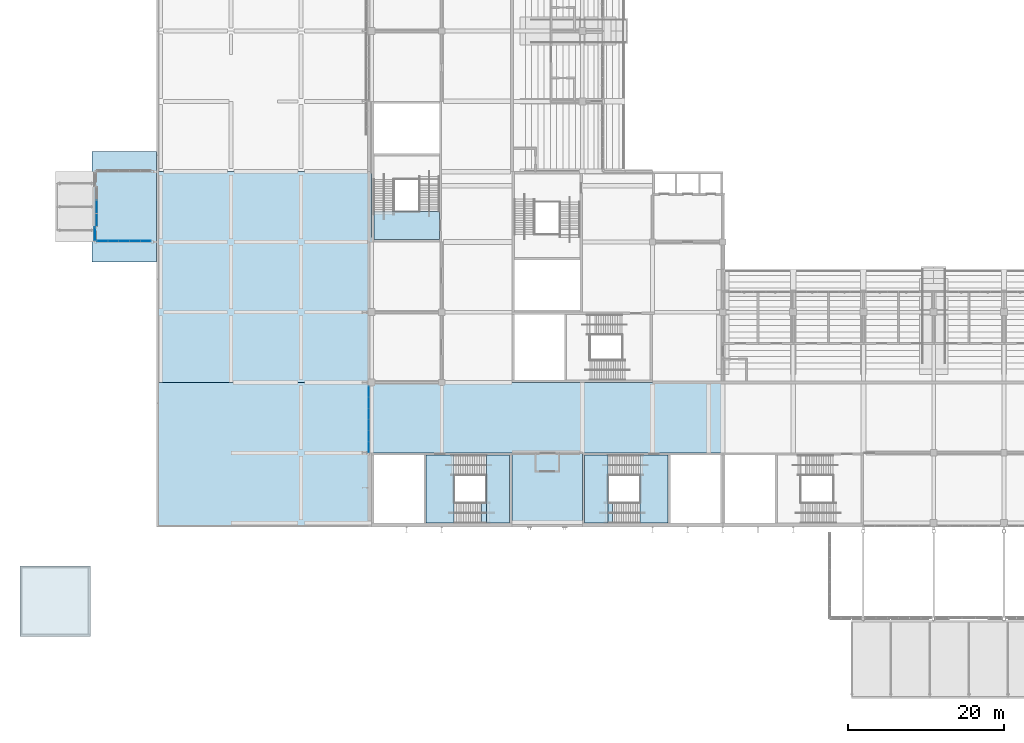
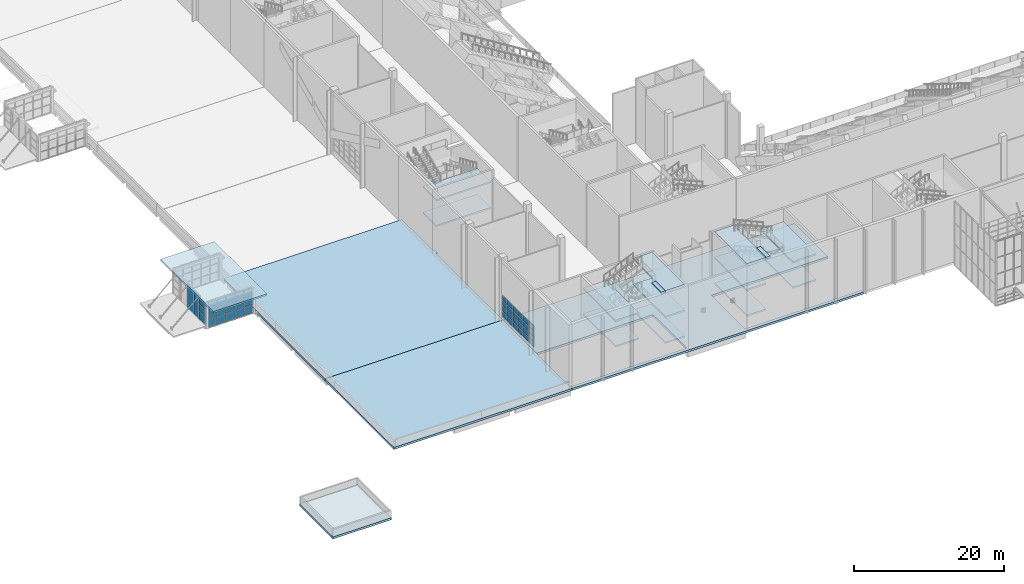
# One storey, part 64 of 182: 44 plates, 19 slabs, 7 elements without a shape of their own.
"""IFC4 building model written with IfcOpenShell, lengths in metres."""

from ifc_helpers import new_model, si_unit, direction, frame, origin, origin_2d, place, context, subcontext, project, spatial, polyline, rectangle, outline, extrude, material, layer, layer_set, type_object, element, aggregate, save


model = new_model("IFC4")

# Units and contexts
model_context = context("Model", 3, precision=1e-05, world=origin(), true_north=direction((0.0, 1.0)))
body_context = subcontext(model_context, "Body", "Model", "MODEL_VIEW")
ifc_project = project(units=[si_unit("LENGTHUNIT", "METRE"), si_unit("AREAUNIT", "SQUARE_METRE"), si_unit("VOLUMEUNIT", "CUBIC_METRE"), si_unit("PLANEANGLEUNIT", "RADIAN"), si_unit("MASSUNIT", "GRAM", prefix="KILO")], contexts=[model_context])

# Site, building, storey
site_placement = place(None, origin())
site = spatial("IfcSite", under=ifc_project, at=site_placement, CompositionType="ELEMENT")
building_placement = place(site_placement, origin())
building = spatial("IfcBuilding", under=site, at=building_placement, Name="Silverbay Arena", CompositionType="ELEMENT")
storey_placement = place(building_placement, frame((0.0, 0.0, 11.5)))
storey = spatial("IfcBuildingStorey", under=building, at=storey_placement, Name="L02", CompositionType="ELEMENT", Elevation=11.5)

# Curtain wall, plates
ifc_material_1 = material(Name="Aluminium framed curtain wall", Category="aluminium")
curtain_wall_type_1 = type_object("IfcCurtainWallType", Name="Curtain wall 1800 x 3700", PredefinedType="NOTDEFINED", material=ifc_material_1)
curtain_wall_1_placement = place(storey_placement, origin())
curtain_wall_1 = element("IfcCurtainWall", 1, at=curtain_wall_1_placement, inside=storey, type_object=curtain_wall_type_1, Name="West entrance hall W0 glazing F0a", PredefinedType="NOTDEFINED")
ifc_material_2 = material(Name="Laminated glass", Category="glass")
ifc_layer_1 = layer(ifc_material_2, 0.028076171875)
ifc_layer_set_1 = layer_set([ifc_layer_1], Name="Laminated glass")
plate_type_1 = type_object("IfcPlateType", Name="Glass panel 28", PredefinedType="CURTAIN_PANEL", material=ifc_layer_set_1)
plate_1_placement = place(storey_placement, frame((18.590087890625, 55.050048828125, 0.5498046875), z_axis=(0.0, 0.0, 1.0), x_axis=(0.0, 1.0, 0.0)))
plate_1 = element("IfcPlate", 2, at=plate_1_placement, type_object=plate_type_1, Name="CW50 panel 1.1", PredefinedType="CURTAIN_PANEL", context=body_context, shape_type="SweptSolid", body=[
    extrude(rectangle(XDim=1.679931640625, YDim=0.028076171875, at=origin_2d()), origin(), (0.0, 0.0, 1.0), 1.158447265625),
])
plate_2_placement = place(storey_placement, frame((18.590087890625, 55.050048828125, 1.75830078125), z_axis=(0.0, 0.0, 1.0), x_axis=(0.0, 1.0, 0.0)))
plate_2 = element("IfcPlate", 3, at=plate_2_placement, type_object=plate_type_1, Name="CW50 panel 1.2", PredefinedType="CURTAIN_PANEL", context=body_context, shape_type="SweptSolid", body=[
    extrude(rectangle(XDim=1.679931640625, YDim=0.028076171875, at=origin_2d()), origin(), (0.0, 0.0, 1.0), 1.183349609375),
])
plate_3_placement = place(storey_placement, frame((18.590087890625, 55.050048828125, 2.99169921875), z_axis=(0.0, 0.0, 1.0), x_axis=(0.0, 1.0, 0.0)))
plate_3 = element("IfcPlate", 4, at=plate_3_placement, type_object=plate_type_1, Name="CW50 panel 1.3", PredefinedType="CURTAIN_PANEL", context=body_context, shape_type="SweptSolid", body=[
    extrude(rectangle(XDim=1.679931640625, YDim=0.028076171875, at=origin_2d()), origin(), (0.0, 0.0, 1.0), 1.158447265625),
])
aggregate(curtain_wall_1, [plate_1, plate_2, plate_3])

ifc_material_3 = material(Name="Aluminium framed curtain wall", Category="aluminium")
curtain_wall_type_2 = type_object("IfcCurtainWallType", Name="Curtain wall 6950 x 4200", PredefinedType="NOTDEFINED", material=ifc_material_3)
curtain_wall_2_placement = place(storey_placement, origin())
curtain_wall_2 = element("IfcCurtainWall", 5, at=curtain_wall_2_placement, inside=storey, type_object=curtain_wall_type_2, Name="West entrance hall W0 glazing SA", PredefinedType="NOTDEFINED")
plate_4_placement = place(storey_placement, frame((19.56005859375, 54.110107421875, 0.0498046875), z_axis=(0.0, 0.0, 1.0), x_axis=(1.0, 0.0, 0.0)))
plate_4 = element("IfcPlate", 6, at=plate_4_placement, type_object=plate_type_1, Name="CW52 panel 1.1", PredefinedType="CURTAIN_PANEL", context=body_context, shape_type="SweptSolid", body=[
    extrude(rectangle(XDim=1.300048828125, YDim=0.028076171875, at=origin_2d()), origin(), (0.0, 0.0, 1.0), 1.324951171875),
])
plate_5_placement = place(storey_placement, frame((19.56005859375, 54.110107421875, 1.425048828125), z_axis=(0.0, 0.0, 1.0), x_axis=(1.0, 0.0, 0.0)))
plate_5 = element("IfcPlate", 7, at=plate_5_placement, type_object=plate_type_1, Name="CW52 panel 1.2", PredefinedType="CURTAIN_PANEL", context=body_context, shape_type="SweptSolid", body=[
    extrude(rectangle(XDim=1.300048828125, YDim=0.028076171875, at=origin_2d()), origin(), (0.0, 0.0, 1.0), 1.35009765625),
])
plate_6_placement = place(storey_placement, frame((19.56005859375, 54.110107421875, 2.8251953125), z_axis=(0.0, 0.0, 1.0), x_axis=(1.0, 0.0, 0.0)))
plate_6 = element("IfcPlate", 8, at=plate_6_placement, type_object=plate_type_1, Name="CW52 panel 1.3", PredefinedType="CURTAIN_PANEL", context=body_context, shape_type="SweptSolid", body=[
    extrude(rectangle(XDim=1.300048828125, YDim=0.028076171875, at=origin_2d()), origin(), (0.0, 0.0, 1.0), 1.324951171875),
])
plate_7_placement = place(storey_placement, frame((20.93505859375, 54.110107421875, 0.0498046875), z_axis=(0.0, 0.0, 1.0), x_axis=(1.0, 0.0, 0.0)))
plate_7 = element("IfcPlate", 9, at=plate_7_placement, type_object=plate_type_1, Name="CW52 panel 2.1", PredefinedType="CURTAIN_PANEL", context=body_context, shape_type="SweptSolid", body=[
    extrude(rectangle(XDim=1.330078125, YDim=0.028076171875, at=origin_2d()), origin(), (0.0, 0.0, 1.0), 1.324951171875),
])
plate_8_placement = place(storey_placement, frame((20.93505859375, 54.110107421875, 1.425048828125), z_axis=(0.0, 0.0, 1.0), x_axis=(1.0, 0.0, 0.0)))
plate_8 = element("IfcPlate", 10, at=plate_8_placement, type_object=plate_type_1, Name="CW52 panel 2.2", PredefinedType="CURTAIN_PANEL", context=body_context, shape_type="SweptSolid", body=[
    extrude(rectangle(XDim=1.330078125, YDim=0.028076171875, at=origin_2d()), origin(), (0.0, 0.0, 1.0), 1.35009765625),
])
plate_9_placement = place(storey_placement, frame((20.93505859375, 54.110107421875, 2.8251953125), z_axis=(0.0, 0.0, 1.0), x_axis=(1.0, 0.0, 0.0)))
plate_9 = element("IfcPlate", 11, at=plate_9_placement, type_object=plate_type_1, Name="CW52 panel 2.3", PredefinedType="CURTAIN_PANEL", context=body_context, shape_type="SweptSolid", body=[
    extrude(rectangle(XDim=1.330078125, YDim=0.028076171875, at=origin_2d()), origin(), (0.0, 0.0, 1.0), 1.324951171875),
])
plate_10_placement = place(storey_placement, frame((22.324951171875, 54.110107421875, 0.0498046875), z_axis=(0.0, 0.0, 1.0), x_axis=(1.0, 0.0, 0.0)))
plate_10 = element("IfcPlate", 12, at=plate_10_placement, type_object=plate_type_1, Name="CW52 panel 3.1", PredefinedType="CURTAIN_PANEL", context=body_context, shape_type="SweptSolid", body=[
    extrude(rectangle(XDim=1.330078125, YDim=0.028076171875, at=origin_2d()), origin(), (0.0, 0.0, 1.0), 1.324951171875),
])
plate_11_placement = place(storey_placement, frame((22.324951171875, 54.110107421875, 1.425048828125), z_axis=(0.0, 0.0, 1.0), x_axis=(1.0, 0.0, 0.0)))
plate_11 = element("IfcPlate", 13, at=plate_11_placement, type_object=plate_type_1, Name="CW52 panel 3.2", PredefinedType="CURTAIN_PANEL", context=body_context, shape_type="SweptSolid", body=[
    extrude(rectangle(XDim=1.330078125, YDim=0.028076171875, at=origin_2d()), origin(), (0.0, 0.0, 1.0), 1.35009765625),
])
plate_12_placement = place(storey_placement, frame((22.324951171875, 54.110107421875, 2.8251953125), z_axis=(0.0, 0.0, 1.0), x_axis=(1.0, 0.0, 0.0)))
plate_12 = element("IfcPlate", 14, at=plate_12_placement, type_object=plate_type_1, Name="CW52 panel 3.3", PredefinedType="CURTAIN_PANEL", context=body_context, shape_type="SweptSolid", body=[
    extrude(rectangle(XDim=1.330078125, YDim=0.028076171875, at=origin_2d()), origin(), (0.0, 0.0, 1.0), 1.324951171875),
])
plate_13_placement = place(storey_placement, frame((23.715087890625, 54.110107421875, 0.0498046875), z_axis=(0.0, 0.0, 1.0), x_axis=(1.0, 0.0, 0.0)))
plate_13 = element("IfcPlate", 15, at=plate_13_placement, type_object=plate_type_1, Name="CW52 panel 4.1", PredefinedType="CURTAIN_PANEL", context=body_context, shape_type="SweptSolid", body=[
    extrude(rectangle(XDim=1.330078125, YDim=0.028076171875, at=origin_2d()), origin(), (0.0, 0.0, 1.0), 1.324951171875),
])
plate_14_placement = place(storey_placement, frame((23.715087890625, 54.110107421875, 1.425048828125), z_axis=(0.0, 0.0, 1.0), x_axis=(1.0, 0.0, 0.0)))
plate_14 = element("IfcPlate", 16, at=plate_14_placement, type_object=plate_type_1, Name="CW52 panel 4.2", PredefinedType="CURTAIN_PANEL", context=body_context, shape_type="SweptSolid", body=[
    extrude(rectangle(XDim=1.330078125, YDim=0.028076171875, at=origin_2d()), origin(), (0.0, 0.0, 1.0), 1.35009765625),
])
plate_15_placement = place(storey_placement, frame((23.715087890625, 54.110107421875, 2.8251953125), z_axis=(0.0, 0.0, 1.0), x_axis=(1.0, 0.0, 0.0)))
plate_15 = element("IfcPlate", 17, at=plate_15_placement, type_object=plate_type_1, Name="CW52 panel 4.3", PredefinedType="CURTAIN_PANEL", context=body_context, shape_type="SweptSolid", body=[
    extrude(rectangle(XDim=1.330078125, YDim=0.028076171875, at=origin_2d()), origin(), (0.0, 0.0, 1.0), 1.324951171875),
])
plate_16_placement = place(storey_placement, frame((25.090087890625, 54.110107421875, 0.0498046875), z_axis=(0.0, 0.0, 1.0), x_axis=(1.0, 0.0, 0.0)))
plate_16 = element("IfcPlate", 18, at=plate_16_placement, type_object=plate_type_1, Name="CW52 panel 5.1", PredefinedType="CURTAIN_PANEL", context=body_context, shape_type="SweptSolid", body=[
    extrude(rectangle(XDim=1.300048828125, YDim=0.028076171875, at=origin_2d()), origin(), (0.0, 0.0, 1.0), 1.324951171875),
])
plate_17_placement = place(storey_placement, frame((25.090087890625, 54.110107421875, 1.425048828125), z_axis=(0.0, 0.0, 1.0), x_axis=(1.0, 0.0, 0.0)))
plate_17 = element("IfcPlate", 19, at=plate_17_placement, type_object=plate_type_1, Name="CW52 panel 5.2", PredefinedType="CURTAIN_PANEL", context=body_context, shape_type="SweptSolid", body=[
    extrude(rectangle(XDim=1.300048828125, YDim=0.028076171875, at=origin_2d()), origin(), (0.0, 0.0, 1.0), 1.35009765625),
])
plate_18_placement = place(storey_placement, frame((25.090087890625, 54.110107421875, 2.8251953125), z_axis=(0.0, 0.0, 1.0), x_axis=(1.0, 0.0, 0.0)))
plate_18 = element("IfcPlate", 20, at=plate_18_placement, type_object=plate_type_1, Name="CW52 panel 5.3", PredefinedType="CURTAIN_PANEL", context=body_context, shape_type="SweptSolid", body=[
    extrude(rectangle(XDim=1.300048828125, YDim=0.028076171875, at=origin_2d()), origin(), (0.0, 0.0, 1.0), 1.324951171875),
])
aggregate(curtain_wall_2, [plate_4, plate_5, plate_6, plate_7, plate_8, plate_9, plate_10, plate_11, plate_12, plate_13, plate_14, plate_15, plate_16, plate_17, plate_18])

ifc_material_4 = material(Name="Aluminium framed curtain wall", Category="aluminium")
curtain_wall_type_3 = type_object("IfcCurtainWallType", Name="Curtain wall 5100 x 4200", PredefinedType="NOTDEFINED", material=ifc_material_4)
curtain_wall_3_placement = place(storey_placement, origin())
curtain_wall_3 = element("IfcCurtainWall", 21, at=curtain_wall_3_placement, inside=storey, type_object=curtain_wall_type_3, Name="West entrance hall W0 glazing over the door", PredefinedType="NOTDEFINED")
plate_19_placement = place(storey_placement, frame((18.81005859375, 58.5, 0.050048828125), z_axis=(0.0, 0.0, 1.0), x_axis=(0.0, -1.0, 0.0)))
plate_19 = element("IfcPlate", 22, at=plate_19_placement, type_object=plate_type_1, Name="CW53 panel 2.1", PredefinedType="CURTAIN_PANEL", context=body_context, shape_type="SweptSolid", body=[
    extrude(rectangle(XDim=1.639892578125, YDim=0.028076171875, at=origin_2d()), origin(), (0.0, 0.0, 1.0), 4.10009765625),
])
plate_20_placement = place(storey_placement, frame((18.81005859375, 56.81494140625, 0.050048828125), z_axis=(0.0, 0.0, 1.0), x_axis=(0.0, -1.0, 0.0)))
plate_20 = element("IfcPlate", 23, at=plate_20_placement, type_object=plate_type_1, Name="CW53 panel 3.1", PredefinedType="CURTAIN_PANEL", context=body_context, shape_type="SweptSolid", body=[
    extrude(rectangle(XDim=1.610107421875, YDim=0.028076171875, at=origin_2d()), origin(), (0.0, 0.0, 1.0), 4.10009765625),
])
aggregate(curtain_wall_3, [plate_19, plate_20])

ifc_material_5 = material(Name="Aluminium framed curtain wall", Category="aluminium")
curtain_wall_type_4 = type_object("IfcCurtainWallType", Name="Curtain wall 8550 x 3600", PredefinedType="NOTDEFINED", material=ifc_material_5)
curtain_wall_4_placement = place(storey_placement, origin())
curtain_wall_4 = element("IfcCurtainWall", 24, at=curtain_wall_4_placement, inside=storey, type_object=curtain_wall_type_4, Name="West curtain wall L02 bay 2", PredefinedType="NOTDEFINED")
ifc_material_6 = material(Name="Laminated glass", Category="glass")
ifc_layer_2 = layer(ifc_material_6, 0.035888671875)
ifc_layer_set_2 = layer_set([ifc_layer_2], Name="Laminated glass")
plate_type_2 = type_object("IfcPlateType", Name="Glass panel 36", PredefinedType="CURTAIN_PANEL", material=ifc_layer_set_2)
plate_21_placement = place(storey_placement, frame((53.64990234375, 34.822509765625, 1.0498046875), z_axis=(0.0, 0.0, 1.0), x_axis=(0.0, -1.0, 0.0)))
plate_21 = element("IfcPlate", 25, at=plate_21_placement, type_object=plate_type_2, Name="CW10 panel 1.1", PredefinedType="CURTAIN_PANEL", context=body_context, shape_type="SweptSolid", body=[
    extrude(rectangle(XDim=1.3349609375, YDim=0.035888671875, at=origin_2d()), origin(), (0.0, 0.0, 1.0), 0.824951171875),
])
plate_22_placement = place(storey_placement, frame((53.64990234375, 34.822509765625, 1.925048828125), z_axis=(0.0, 0.0, 1.0), x_axis=(0.0, -1.0, 0.0)))
plate_22 = element("IfcPlate", 26, at=plate_22_placement, type_object=plate_type_2, Name="CW10 panel 1.2", PredefinedType="CURTAIN_PANEL", context=body_context, shape_type="SweptSolid", body=[
    extrude(rectangle(XDim=1.3349609375, YDim=0.035888671875, at=origin_2d()), origin(), (0.0, 0.0, 1.0), 0.85009765625),
])
plate_23_placement = place(storey_placement, frame((53.64990234375, 34.822509765625, 2.824951171875), z_axis=(0.0, 0.0, 1.0), x_axis=(0.0, -1.0, 0.0)))
plate_23 = element("IfcPlate", 27, at=plate_23_placement, type_object=plate_type_2, Name="CW10 panel 1.3", PredefinedType="CURTAIN_PANEL", context=body_context, shape_type="SweptSolid", body=[
    extrude(rectangle(XDim=1.3349609375, YDim=0.035888671875, at=origin_2d()), origin(), (0.0, 0.0, 1.0), 0.85009765625),
])
plate_24_placement = place(storey_placement, frame((53.64990234375, 34.822509765625, 3.72509765625), z_axis=(0.0, 0.0, 1.0), x_axis=(0.0, -1.0, 0.0)))
plate_24 = element("IfcPlate", 28, at=plate_24_placement, type_object=plate_type_2, Name="CW10 panel 1.4", PredefinedType="CURTAIN_PANEL", context=body_context, shape_type="SweptSolid", body=[
    extrude(rectangle(XDim=1.3349609375, YDim=0.035888671875, at=origin_2d()), origin(), (0.0, 0.0, 1.0), 0.824951171875),
])
plate_25_placement = place(storey_placement, frame((53.64990234375, 33.41259765625, 1.0498046875), z_axis=(0.0, 0.0, 1.0), x_axis=(0.0, -1.0, 0.0)))
plate_25 = element("IfcPlate", 29, at=plate_25_placement, type_object=plate_type_2, Name="CW10 panel 2.1", PredefinedType="CURTAIN_PANEL", context=body_context, shape_type="SweptSolid", body=[
    extrude(rectangle(XDim=1.364990234375, YDim=0.035888671875, at=origin_2d()), origin(), (0.0, 0.0, 1.0), 0.824951171875),
])
plate_26_placement = place(storey_placement, frame((53.64990234375, 33.41259765625, 1.925048828125), z_axis=(0.0, 0.0, 1.0), x_axis=(0.0, -1.0, 0.0)))
plate_26 = element("IfcPlate", 30, at=plate_26_placement, type_object=plate_type_2, Name="CW10 panel 2.2", PredefinedType="CURTAIN_PANEL", context=body_context, shape_type="SweptSolid", body=[
    extrude(rectangle(XDim=1.364990234375, YDim=0.035888671875, at=origin_2d()), origin(), (0.0, 0.0, 1.0), 0.85009765625),
])
plate_27_placement = place(storey_placement, frame((53.64990234375, 33.41259765625, 2.824951171875), z_axis=(0.0, 0.0, 1.0), x_axis=(0.0, -1.0, 0.0)))
plate_27 = element("IfcPlate", 31, at=plate_27_placement, type_object=plate_type_2, Name="CW10 panel 2.3", PredefinedType="CURTAIN_PANEL", context=body_context, shape_type="SweptSolid", body=[
    extrude(rectangle(XDim=1.364990234375, YDim=0.035888671875, at=origin_2d()), origin(), (0.0, 0.0, 1.0), 0.85009765625),
])
plate_28_placement = place(storey_placement, frame((53.64990234375, 33.41259765625, 3.72509765625), z_axis=(0.0, 0.0, 1.0), x_axis=(0.0, -1.0, 0.0)))
plate_28 = element("IfcPlate", 32, at=plate_28_placement, type_object=plate_type_2, Name="CW10 panel 2.4", PredefinedType="CURTAIN_PANEL", context=body_context, shape_type="SweptSolid", body=[
    extrude(rectangle(XDim=1.364990234375, YDim=0.035888671875, at=origin_2d()), origin(), (0.0, 0.0, 1.0), 0.824951171875),
])
plate_29_placement = place(storey_placement, frame((53.64990234375, 31.987548828125, 1.0498046875), z_axis=(0.0, 0.0, 1.0), x_axis=(0.0, -1.0, 0.0)))
plate_29 = element("IfcPlate", 33, at=plate_29_placement, type_object=plate_type_2, Name="CW10 panel 3.1", PredefinedType="CURTAIN_PANEL", context=body_context, shape_type="SweptSolid", body=[
    extrude(rectangle(XDim=1.364990234375, YDim=0.035888671875, at=origin_2d()), origin(), (0.0, 0.0, 1.0), 0.824951171875),
])
plate_30_placement = place(storey_placement, frame((53.64990234375, 31.987548828125, 1.925048828125), z_axis=(0.0, 0.0, 1.0), x_axis=(0.0, -1.0, 0.0)))
plate_30 = element("IfcPlate", 34, at=plate_30_placement, type_object=plate_type_2, Name="CW10 panel 3.2", PredefinedType="CURTAIN_PANEL", context=body_context, shape_type="SweptSolid", body=[
    extrude(rectangle(XDim=1.364990234375, YDim=0.035888671875, at=origin_2d()), origin(), (0.0, 0.0, 1.0), 0.85009765625),
])
plate_31_placement = place(storey_placement, frame((53.64990234375, 31.987548828125, 2.824951171875), z_axis=(0.0, 0.0, 1.0), x_axis=(0.0, -1.0, 0.0)))
plate_31 = element("IfcPlate", 35, at=plate_31_placement, type_object=plate_type_2, Name="CW10 panel 3.3", PredefinedType="CURTAIN_PANEL", context=body_context, shape_type="SweptSolid", body=[
    extrude(rectangle(XDim=1.364990234375, YDim=0.035888671875, at=origin_2d()), origin(), (0.0, 0.0, 1.0), 0.85009765625),
])
plate_32_placement = place(storey_placement, frame((53.64990234375, 31.987548828125, 3.72509765625), z_axis=(0.0, 0.0, 1.0), x_axis=(0.0, -1.0, 0.0)))
plate_32 = element("IfcPlate", 36, at=plate_32_placement, type_object=plate_type_2, Name="CW10 panel 3.4", PredefinedType="CURTAIN_PANEL", context=body_context, shape_type="SweptSolid", body=[
    extrude(rectangle(XDim=1.364990234375, YDim=0.035888671875, at=origin_2d()), origin(), (0.0, 0.0, 1.0), 0.824951171875),
])
plate_33_placement = place(storey_placement, frame((53.64990234375, 30.5625, 1.0498046875), z_axis=(0.0, 0.0, 1.0), x_axis=(0.0, -1.0, 0.0)))
plate_33 = element("IfcPlate", 37, at=plate_33_placement, type_object=plate_type_2, Name="CW10 panel 4.1", PredefinedType="CURTAIN_PANEL", context=body_context, shape_type="SweptSolid", body=[
    extrude(rectangle(XDim=1.364990234375, YDim=0.035888671875, at=origin_2d()), origin(), (0.0, 0.0, 1.0), 0.824951171875),
])
plate_34_placement = place(storey_placement, frame((53.64990234375, 30.5625, 1.925048828125), z_axis=(0.0, 0.0, 1.0), x_axis=(0.0, -1.0, 0.0)))
plate_34 = element("IfcPlate", 38, at=plate_34_placement, type_object=plate_type_2, Name="CW10 panel 4.2", PredefinedType="CURTAIN_PANEL", context=body_context, shape_type="SweptSolid", body=[
    extrude(rectangle(XDim=1.364990234375, YDim=0.035888671875, at=origin_2d()), origin(), (0.0, 0.0, 1.0), 0.85009765625),
])
plate_35_placement = place(storey_placement, frame((53.64990234375, 30.5625, 2.824951171875), z_axis=(0.0, 0.0, 1.0), x_axis=(0.0, -1.0, 0.0)))
plate_35 = element("IfcPlate", 39, at=plate_35_placement, type_object=plate_type_2, Name="CW10 panel 4.3", PredefinedType="CURTAIN_PANEL", context=body_context, shape_type="SweptSolid", body=[
    extrude(rectangle(XDim=1.364990234375, YDim=0.035888671875, at=origin_2d()), origin(), (0.0, 0.0, 1.0), 0.85009765625),
])
plate_36_placement = place(storey_placement, frame((53.64990234375, 30.5625, 3.72509765625), z_axis=(0.0, 0.0, 1.0), x_axis=(0.0, -1.0, 0.0)))
plate_36 = element("IfcPlate", 40, at=plate_36_placement, type_object=plate_type_2, Name="CW10 panel 4.4", PredefinedType="CURTAIN_PANEL", context=body_context, shape_type="SweptSolid", body=[
    extrude(rectangle(XDim=1.364990234375, YDim=0.035888671875, at=origin_2d()), origin(), (0.0, 0.0, 1.0), 0.824951171875),
])
plate_37_placement = place(storey_placement, frame((53.64990234375, 29.137451171875, 1.0498046875), z_axis=(0.0, 0.0, 1.0), x_axis=(0.0, -1.0, 0.0)))
plate_37 = element("IfcPlate", 41, at=plate_37_placement, type_object=plate_type_2, Name="CW10 panel 5.1", PredefinedType="CURTAIN_PANEL", context=body_context, shape_type="SweptSolid", body=[
    extrude(rectangle(XDim=1.364990234375, YDim=0.035888671875, at=origin_2d()), origin(), (0.0, 0.0, 1.0), 0.824951171875),
])
plate_38_placement = place(storey_placement, frame((53.64990234375, 29.137451171875, 1.925048828125), z_axis=(0.0, 0.0, 1.0), x_axis=(0.0, -1.0, 0.0)))
plate_38 = element("IfcPlate", 42, at=plate_38_placement, type_object=plate_type_2, Name="CW10 panel 5.2", PredefinedType="CURTAIN_PANEL", context=body_context, shape_type="SweptSolid", body=[
    extrude(rectangle(XDim=1.364990234375, YDim=0.035888671875, at=origin_2d()), origin(), (0.0, 0.0, 1.0), 0.85009765625),
])
plate_39_placement = place(storey_placement, frame((53.64990234375, 29.137451171875, 2.824951171875), z_axis=(0.0, 0.0, 1.0), x_axis=(0.0, -1.0, 0.0)))
plate_39 = element("IfcPlate", 43, at=plate_39_placement, type_object=plate_type_2, Name="CW10 panel 5.3", PredefinedType="CURTAIN_PANEL", context=body_context, shape_type="SweptSolid", body=[
    extrude(rectangle(XDim=1.364990234375, YDim=0.035888671875, at=origin_2d()), origin(), (0.0, 0.0, 1.0), 0.85009765625),
])
plate_40_placement = place(storey_placement, frame((53.64990234375, 29.137451171875, 3.72509765625), z_axis=(0.0, 0.0, 1.0), x_axis=(0.0, -1.0, 0.0)))
plate_40 = element("IfcPlate", 44, at=plate_40_placement, type_object=plate_type_2, Name="CW10 panel 5.4", PredefinedType="CURTAIN_PANEL", context=body_context, shape_type="SweptSolid", body=[
    extrude(rectangle(XDim=1.364990234375, YDim=0.035888671875, at=origin_2d()), origin(), (0.0, 0.0, 1.0), 0.824951171875),
])
plate_41_placement = place(storey_placement, frame((53.64990234375, 27.7275390625, 1.0498046875), z_axis=(0.0, 0.0, 1.0), x_axis=(0.0, -1.0, 0.0)))
plate_41 = element("IfcPlate", 45, at=plate_41_placement, type_object=plate_type_2, Name="CW10 panel 6.1", PredefinedType="CURTAIN_PANEL", context=body_context, shape_type="SweptSolid", body=[
    extrude(rectangle(XDim=1.3349609375, YDim=0.035888671875, at=origin_2d()), origin(), (0.0, 0.0, 1.0), 0.824951171875),
])
plate_42_placement = place(storey_placement, frame((53.64990234375, 27.7275390625, 1.925048828125), z_axis=(0.0, 0.0, 1.0), x_axis=(0.0, -1.0, 0.0)))
plate_42 = element("IfcPlate", 46, at=plate_42_placement, type_object=plate_type_2, Name="CW10 panel 6.2", PredefinedType="CURTAIN_PANEL", context=body_context, shape_type="SweptSolid", body=[
    extrude(rectangle(XDim=1.3349609375, YDim=0.035888671875, at=origin_2d()), origin(), (0.0, 0.0, 1.0), 0.85009765625),
])
plate_43_placement = place(storey_placement, frame((53.64990234375, 27.7275390625, 2.824951171875), z_axis=(0.0, 0.0, 1.0), x_axis=(0.0, -1.0, 0.0)))
plate_43 = element("IfcPlate", 47, at=plate_43_placement, type_object=plate_type_2, Name="CW10 panel 6.3", PredefinedType="CURTAIN_PANEL", context=body_context, shape_type="SweptSolid", body=[
    extrude(rectangle(XDim=1.3349609375, YDim=0.035888671875, at=origin_2d()), origin(), (0.0, 0.0, 1.0), 0.85009765625),
])
plate_44_placement = place(storey_placement, frame((53.64990234375, 27.7275390625, 3.72509765625), z_axis=(0.0, 0.0, 1.0), x_axis=(0.0, -1.0, 0.0)))
plate_44 = element("IfcPlate", 48, at=plate_44_placement, type_object=plate_type_2, Name="CW10 panel 6.4", PredefinedType="CURTAIN_PANEL", context=body_context, shape_type="SweptSolid", body=[
    extrude(rectangle(XDim=1.3349609375, YDim=0.035888671875, at=origin_2d()), origin(), (0.0, 0.0, 1.0), 0.824951171875),
])
aggregate(curtain_wall_4, [plate_21, plate_22, plate_23, plate_24, plate_25, plate_26, plate_27, plate_28, plate_29, plate_30, plate_31, plate_32, plate_33, plate_34, plate_35, plate_36, plate_37, plate_38, plate_39, plate_40, plate_41, plate_42, plate_43, plate_44])

# Slabs
ifc_material_7 = material(Name="Concrete Grade C45", Category="concrete")
ifc_layer_3 = layer(ifc_material_7, 0.300048828125)
ifc_layer_set_3 = layer_set([ifc_layer_3], Name="Concrete Grade C45")
slab_type_1 = type_object("IfcSlabType", Name="Hall roof slab 300", PredefinedType="ROOF", material=ifc_layer_set_3)
slab_1_placement = place(storey_placement, frame((0.0, 0.0, 4.199951171875)))
element("IfcSlab", 49, at=slab_1_placement, inside=storey, type_object=slab_type_1, Name="West entrance hall W0 roof", PredefinedType="ROOF", context=body_context, shape_type="SweptSolid", body=[
    extrude(outline(polyline([(26.5, 51.449951171875), (26.5, 65.550048828125), (18.199951171875, 65.550048828125), (18.199951171875, 51.449951171875), (26.5, 51.449951171875)])), origin(), (0.0, 0.0, 1.0), 0.300048828125),
])
ifc_material_8 = material(Name="Concrete Grade C45", Category="concrete")
ifc_layer_4 = layer(ifc_material_8, 0.35009765625)
ifc_layer_set_4 = layer_set([ifc_layer_4], Name="Concrete Grade C45")
slab_type_2 = type_object("IfcSlabType", Name="RC floor slab 350", PredefinedType="FLOOR", material=ifc_layer_set_4)
slab_2_placement = place(storey_placement, frame((0.0, 0.0, -0.35009765625)))
element("IfcSlab", 50, at=slab_2_placement, inside=storey, type_object=slab_type_2, Name="Floor slab L02 unit 1", PredefinedType="FLOOR", context=body_context, shape_type="SweptSolid", body=[
    extrude(outline(polyline([(81.0, 18.0), (99.0, 18.0), (99.0, 17.5), (54.0, 17.5), (54.0, 18.0), (72.0, 18.0), (72.0, 27.0), (54.0, 27.0), (54.0, 35.97509765625), (99.0, 35.97509765625), (99.0, 27.0), (81.0, 27.0), (81.0, 18.0)])), origin(), (0.0, 0.0, 1.0), 0.35009765625),
])
ifc_material_9 = material(Name="Concrete Grade C45", Category="concrete")
ifc_layer_5 = layer(ifc_material_9, 0.35009765625)
ifc_layer_set_5 = layer_set([ifc_layer_5], Name="Concrete Grade C45")
slab_type_3 = type_object("IfcSlabType", Name="RC roof slab 350", PredefinedType="ROOF", material=ifc_layer_set_5)
slab_3_placement = place(storey_placement, frame((0.0, 0.0, -0.35009765625)))
element("IfcSlab", 51, at=slab_3_placement, inside=storey, type_object=slab_type_3, Name="Pavilion roof slab", PredefinedType="ROOF", context=body_context, shape_type="SweptSolid", body=[
    extrude(outline(polyline([(9.0, 3.5), (18.0, 3.5), (18.0, 12.5), (9.0, 12.5), (9.0, 3.5)])), origin(), (0.0, 0.0, 1.0), 0.35009765625),
])
slab_4_placement = place(storey_placement, frame((0.0, 0.0, -0.35009765625)))
element("IfcSlab", 52, at=slab_4_placement, inside=storey, type_object=slab_type_3, Name="Roof slab L02 unit 1", PredefinedType="ROOF", context=body_context, shape_type="SweptSolid", body=[
    extrude(outline(polyline([(26.5, 35.97509765625), (54.0, 35.97509765625), (54.0, 17.5), (26.5, 17.5), (26.5, 35.97509765625)])), origin(), (0.0, 0.0, 1.0), 0.35009765625),
])
slab_5_placement = place(storey_placement, frame((0.0, 0.0, -0.35009765625)))
element("IfcSlab", 53, at=slab_5_placement, inside=storey, type_object=slab_type_3, Name="Roof slab L02 unit 3", PredefinedType="ROOF", context=body_context, shape_type="SweptSolid", body=[
    extrude(outline(polyline([(54.300048828125, 54.60009765625), (54.300048828125, 54.0), (54.0, 54.0), (54.0, 35.97509765625), (26.5, 35.97509765625), (26.5, 63.0), (54.0, 63.0), (54.0, 54.60009765625), (54.300048828125, 54.60009765625)])), origin(), (0.0, 0.0, 1.0), 0.35009765625),
])

# Stair, slab
ifc_material_10 = material(Name="Concrete Grade C45", Category="concrete")
stair_type = type_object("IfcStairType", Name="Stair 2600 wide 80 risers 131.2 x 300", PredefinedType="HALF_TURN_STAIR", material=ifc_material_10)
stair_1_placement = place(storey_placement, origin())
stair_1 = element("IfcStair", 54, at=stair_1_placement, inside=storey, type_object=stair_type, Name="Stair ST-S1 L02 to L03", PredefinedType="HALF_TURN_STAIR")
ifc_material_11 = material(Name="Concrete Grade C45", Category="concrete")
ifc_layer_6 = layer(ifc_material_11, 0.25)
ifc_layer_set_6 = layer_set([ifc_layer_6], Name="Concrete Grade C45")
slab_type_4 = type_object("IfcSlabType", Name="Stair arrival platform RC 250", PredefinedType="FLOOR", material=ifc_layer_set_6)
slab_6_placement = place(storey_placement, frame((0.0, 0.0, 10.25)))
slab_6 = element("IfcSlab", 55, at=slab_6_placement, type_object=slab_type_4, Name="Stair ST-S1 L02 to L03 arrival platform 6", PredefinedType="FLOOR", context=body_context, shape_type="SweptSolid", body=[
    extrude(outline(polyline([(84.89990234375, 20.60009765625), (84.274169921875, 20.60009765625), (84.274169921875, 18.0), (84.89990234375, 18.0), (84.89990234375, 20.60009765625)])), origin(), (0.0, 0.0, 1.0), 0.25),
])

stair_2_placement = place(storey_placement, origin())
stair_2 = element("IfcStair", 56, at=stair_2_placement, inside=storey, type_object=stair_type, Name="Stair ST-S5 L02 to L03", PredefinedType="HALF_TURN_STAIR")
slab_7_placement = place(storey_placement, frame((0.0, 0.0, 10.25)))
slab_7 = element("IfcSlab", 57, at=slab_7_placement, type_object=slab_type_4, Name="Stair ST-S5 L02 to L03 arrival platform 6", PredefinedType="FLOOR", context=body_context, shape_type="SweptSolid", body=[
    extrude(outline(polyline([(68.10009765625, 20.60009765625), (68.725830078125, 20.60009765625), (68.725830078125, 18.0), (68.10009765625, 18.0), (68.10009765625, 20.60009765625)])), origin(), (0.0, 0.0, 1.0), 0.25),
])

# Slab
ifc_material_12 = material(Name="Concrete Grade C45", Category="concrete")
ifc_layer_7 = layer(ifc_material_12, 0.25)
ifc_layer_set_7 = layer_set([ifc_layer_7], Name="Concrete Grade C45")
slab_type_5 = type_object("IfcSlabType", Name="Stair landing RC 250", PredefinedType="LANDING", material=ifc_layer_set_7)
slab_8_placement = place(storey_placement, frame((0.0, 0.0, 1.85009765625)))
slab_8 = element("IfcSlab", 58, at=slab_8_placement, type_object=slab_type_5, Name="Stair ST-S1 L02 to L03 landing 1", PredefinedType="LANDING", context=body_context, shape_type="SweptSolid", body=[
    extrude(outline(polyline([(84.274169921875, 26.699951171875), (81.300048828125, 26.699951171875), (81.300048828125, 18.0), (84.274169921875, 18.0), (84.274169921875, 26.699951171875)])), origin(), (0.0, 0.0, 1.0), 0.25),
])

slab_9_placement = place(storey_placement, frame((0.0, 0.0, 3.949951171875)))
slab_9 = element("IfcSlab", 59, at=slab_9_placement, type_object=slab_type_5, Name="Stair ST-S1 L02 to L03 landing 2", PredefinedType="LANDING", context=body_context, shape_type="SweptSolid", body=[
    extrude(outline(polyline([(92.0, 26.699951171875), (88.39990234375, 26.699951171875), (88.39990234375, 18.0), (92.0, 18.0), (92.0, 26.699951171875)])), origin(), (0.0, 0.0, 1.0), 0.25),
])

slab_10_placement = place(storey_placement, frame((0.0, 0.0, 6.050048828125)))
slab_10 = element("IfcSlab", 60, at=slab_10_placement, type_object=slab_type_5, Name="Stair ST-S1 L02 to L03 landing 3", PredefinedType="LANDING", context=body_context, shape_type="SweptSolid", body=[
    extrude(outline(polyline([(84.274169921875, 26.699951171875), (81.300048828125, 26.699951171875), (81.300048828125, 18.0), (84.274169921875, 18.0), (84.274169921875, 26.699951171875)])), origin(), (0.0, 0.0, 1.0), 0.25),
])

slab_11_placement = place(storey_placement, frame((0.0, 0.0, 8.14990234375)))
slab_11 = element("IfcSlab", 61, at=slab_11_placement, type_object=slab_type_5, Name="Stair ST-S1 L02 to L03 landing 4", PredefinedType="LANDING", context=body_context, shape_type="SweptSolid", body=[
    extrude(outline(polyline([(92.0, 26.699951171875), (88.39990234375, 26.699951171875), (88.39990234375, 18.0), (92.0, 18.0), (92.0, 26.699951171875)])), origin(), (0.0, 0.0, 1.0), 0.25),
])

slab_12_placement = place(storey_placement, frame((0.0, 0.0, 10.25)))
slab_12 = element("IfcSlab", 62, at=slab_12_placement, type_object=slab_type_5, Name="Stair ST-S1 L02 to L03 landing 5", PredefinedType="LANDING", context=body_context, shape_type="SweptSolid", body=[
    extrude(outline(polyline([(84.274169921875, 26.699951171875), (81.300048828125, 26.699951171875), (81.300048828125, 18.0), (84.274169921875, 18.0), (84.274169921875, 26.699951171875)])), origin(), (0.0, 0.0, 1.0), 0.25),
])

aggregate(stair_1, [slab_8, slab_9, slab_10, slab_11, slab_12, slab_6])

slab_13_placement = place(storey_placement, frame((0.0, 0.0, 1.85009765625)))
slab_13 = element("IfcSlab", 63, at=slab_13_placement, type_object=slab_type_5, Name="Stair ST-S5 L02 to L03 landing 1", PredefinedType="LANDING", context=body_context, shape_type="SweptSolid", body=[
    extrude(outline(polyline([(68.725830078125, 26.699951171875), (71.699951171875, 26.699951171875), (71.699951171875, 18.0), (68.725830078125, 18.0), (68.725830078125, 26.699951171875)])), origin(), (0.0, 0.0, 1.0), 0.25),
])

slab_14_placement = place(storey_placement, frame((0.0, 0.0, 3.949951171875)))
slab_14 = element("IfcSlab", 64, at=slab_14_placement, type_object=slab_type_5, Name="Stair ST-S5 L02 to L03 landing 2", PredefinedType="LANDING", context=body_context, shape_type="SweptSolid", body=[
    extrude(outline(polyline([(61.0, 26.699951171875), (64.60009765625, 26.699951171875), (64.60009765625, 18.0), (61.0, 18.0), (61.0, 26.699951171875)])), origin(), (0.0, 0.0, 1.0), 0.25),
])

slab_15_placement = place(storey_placement, frame((0.0, 0.0, 6.050048828125)))
slab_15 = element("IfcSlab", 65, at=slab_15_placement, type_object=slab_type_5, Name="Stair ST-S5 L02 to L03 landing 3", PredefinedType="LANDING", context=body_context, shape_type="SweptSolid", body=[
    extrude(outline(polyline([(68.725830078125, 26.699951171875), (71.699951171875, 26.699951171875), (71.699951171875, 18.0), (68.725830078125, 18.0), (68.725830078125, 26.699951171875)])), origin(), (0.0, 0.0, 1.0), 0.25),
])

slab_16_placement = place(storey_placement, frame((0.0, 0.0, 8.14990234375)))
slab_16 = element("IfcSlab", 66, at=slab_16_placement, type_object=slab_type_5, Name="Stair ST-S5 L02 to L03 landing 4", PredefinedType="LANDING", context=body_context, shape_type="SweptSolid", body=[
    extrude(outline(polyline([(61.0, 26.699951171875), (64.60009765625, 26.699951171875), (64.60009765625, 18.0), (61.0, 18.0), (61.0, 26.699951171875)])), origin(), (0.0, 0.0, 1.0), 0.25),
])

slab_17_placement = place(storey_placement, frame((0.0, 0.0, 10.25)))
slab_17 = element("IfcSlab", 67, at=slab_17_placement, type_object=slab_type_5, Name="Stair ST-S5 L02 to L03 landing 5", PredefinedType="LANDING", context=body_context, shape_type="SweptSolid", body=[
    extrude(outline(polyline([(68.725830078125, 26.699951171875), (71.699951171875, 26.699951171875), (71.699951171875, 18.0), (68.725830078125, 18.0), (68.725830078125, 26.699951171875)])), origin(), (0.0, 0.0, 1.0), 0.25),
])

aggregate(stair_2, [slab_13, slab_14, slab_15, slab_16, slab_17, slab_7])

# Stair, slabs
stair_3_placement = place(storey_placement, origin())
stair_3 = element("IfcStair", 68, at=stair_3_placement, inside=storey, type_object=stair_type, Name="Stair ST-W1 L02 to L03", PredefinedType="HALF_TURN_STAIR")
slab_18_placement = place(storey_placement, frame((0.0, 0.0, 3.949951171875)))
slab_18 = element("IfcSlab", 69, at=slab_18_placement, type_object=slab_type_5, Name="Stair ST-W1 L02 to L03 landing 2", PredefinedType="LANDING", context=body_context, shape_type="SweptSolid", body=[
    extrude(outline(polyline([(62.699951171875, 54.300048828125), (62.699951171875, 57.89990234375), (54.300048828125, 57.89990234375), (54.300048828125, 54.300048828125), (62.699951171875, 54.300048828125)])), origin(), (0.0, 0.0, 1.0), 0.25),
])
slab_19_placement = place(storey_placement, frame((0.0, 0.0, 8.14990234375)))
slab_19 = element("IfcSlab", 70, at=slab_19_placement, type_object=slab_type_5, Name="Stair ST-W1 L02 to L03 landing 4", PredefinedType="LANDING", context=body_context, shape_type="SweptSolid", body=[
    extrude(outline(polyline([(62.699951171875, 54.300048828125), (62.699951171875, 57.89990234375), (54.300048828125, 57.89990234375), (54.300048828125, 54.300048828125), (62.699951171875, 54.300048828125)])), origin(), (0.0, 0.0, 1.0), 0.25),
])
aggregate(stair_3, [slab_18, slab_19])

save(model, "model.ifc")
